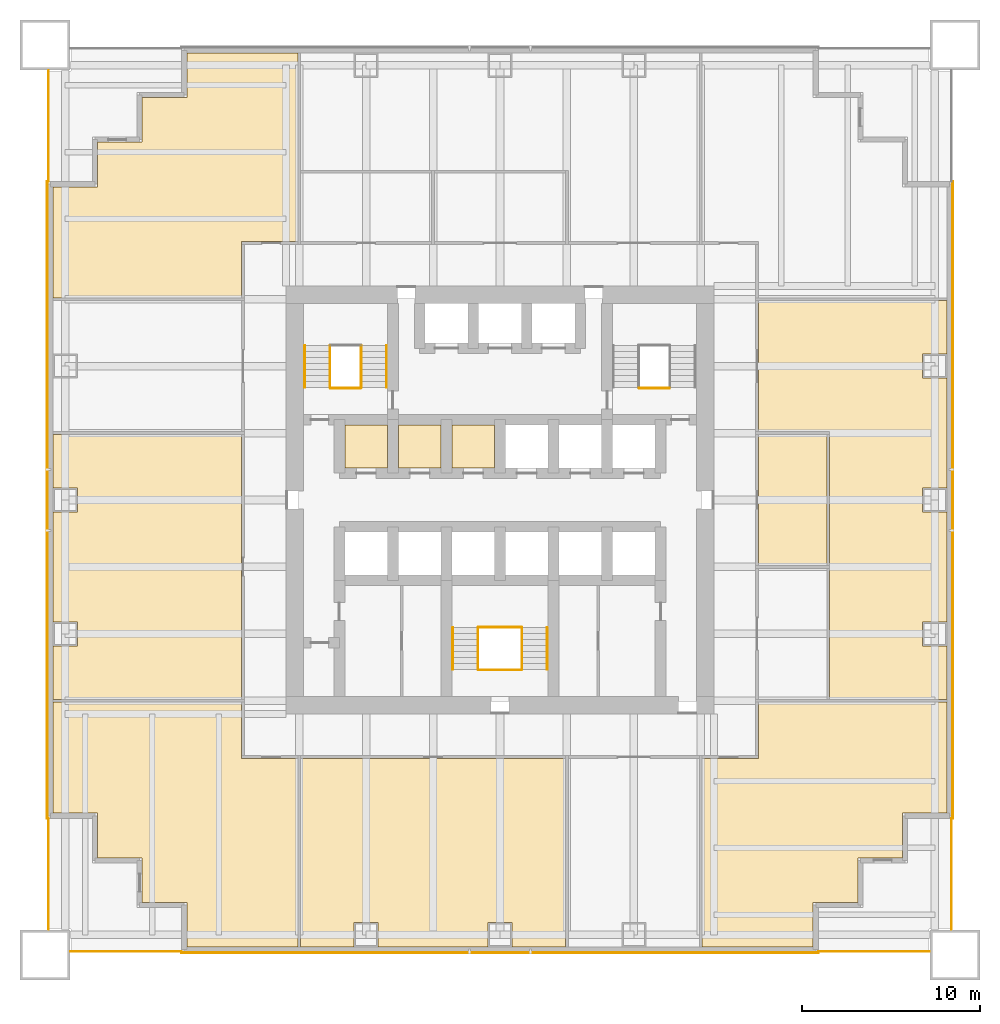
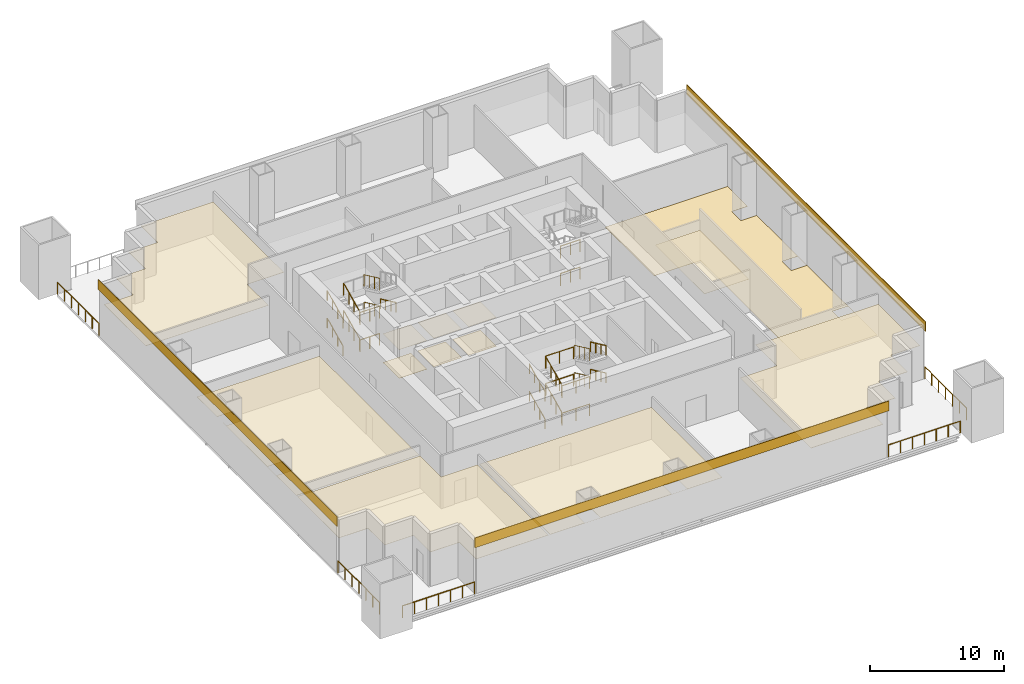
# One storey, part 6 of 7: 28 railings, 16 coverings.
"""IFC4 building model written with IfcOpenShell, lengths in metres."""

from ifc_helpers import new_model, si_unit, direction, frame, origin, origin_2d, place, context, subcontext, project, spatial, polyline, rectangle, circle, outline, extrude, material, layer, layer_set, type_object, element, save


model = new_model("IFC4")

# Units and contexts
model_context = context("Model", 3, precision=1e-05, world=origin(), true_north=direction((0.0, 1.0)))
body_context = subcontext(model_context, "Body", "Model", "MODEL_VIEW")
ifc_project = project(units=[si_unit("LENGTHUNIT", "METRE"), si_unit("AREAUNIT", "SQUARE_METRE"), si_unit("VOLUMEUNIT", "CUBIC_METRE"), si_unit("PLANEANGLEUNIT", "RADIAN"), si_unit("MASSUNIT", "GRAM", prefix="KILO")], contexts=[model_context])

# Site, building, storey
site_placement = place(None, origin())
site = spatial("IfcSite", under=ifc_project, at=site_placement, CompositionType="ELEMENT")
building_placement = place(site_placement, origin())
building = spatial("IfcBuilding", under=site, at=building_placement, Name="Tarangal Relay Tower", CompositionType="ELEMENT")
storey_placement = place(building_placement, frame((0.0, 0.0, 43.39990234375)))
storey = spatial("IfcBuildingStorey", under=building, at=storey_placement, Name="L08", CompositionType="ELEMENT", Elevation=43.39990234375)

# Coverings
ifc_material_1 = material(Name="Anti-static vinyl flooring", Category="plastic")
ifc_layer_1 = layer(ifc_material_1, 0.010009765625)
ifc_layer_set_1 = layer_set([ifc_layer_1], Name="Anti-static vinyl floor")
covering_type_1 = type_object("IfcCoveringType", Name="Anti-static vinyl floor", PredefinedType="FLOORING", material=ifc_layer_set_1)
covering_1_placement = place(storey_placement, origin())
element("IfcCovering", 1, at=covering_1_placement, inside=storey, type_object=covering_type_1, Name="Floor finish FL1 L08-D1", PredefinedType="FLOORING", context=body_context, shape_type="SweptSolid", body=[
    extrude(outline(polyline([(-8.699951171875, 1.800048828125), (-6.300048828125, 1.800048828125), (-6.300048828125, 4.199951171875), (-8.699951171875, 4.199951171875), (-8.699951171875, 1.800048828125)])), origin(), (0.0, 0.0, 1.0), 0.010009765625),
])
covering_2_placement = place(storey_placement, origin())
element("IfcCovering", 2, at=covering_2_placement, inside=storey, type_object=covering_type_1, Name="Floor finish FL1 L08-D2", PredefinedType="FLOORING", context=body_context, shape_type="SweptSolid", body=[
    extrude(outline(polyline([(-5.699951171875, 1.800048828125), (-3.300048828125, 1.800048828125), (-3.300048828125, 4.199951171875), (-5.699951171875, 4.199951171875), (-5.699951171875, 1.800048828125)])), origin(), (0.0, 0.0, 1.0), 0.010009765625),
])
covering_3_placement = place(storey_placement, origin())
element("IfcCovering", 3, at=covering_3_placement, inside=storey, type_object=covering_type_1, Name="Floor finish FL1 L08-D3", PredefinedType="FLOORING", context=body_context, shape_type="SweptSolid", body=[
    extrude(outline(polyline([(-2.699951171875, 1.800048828125), (-0.300048828125, 1.800048828125), (-0.300048828125, 4.199951171875), (-2.699951171875, 4.199951171875), (-2.699951171875, 1.800048828125)])), origin(), (0.0, 0.0, 1.0), 0.010009765625),
])
covering_4_placement = place(storey_placement, origin())
element("IfcCovering", 4, at=covering_4_placement, inside=storey, type_object=covering_type_1, Name="Floor finish FL1 L08-05", PredefinedType="FLOORING", context=body_context, shape_type="SweptSolid", body=[
    extrude(outline(polyline([(25.050048828125, -11.175048828125), (25.050048828125, 11.175048828125), (14.47509765625, 11.175048828125), (14.47509765625, 3.824951171875), (18.47509765625, 3.824951171875), (18.47509765625, -11.175048828125), (25.050048828125, -11.175048828125)]), holes=[polyline([(25.0400390625, -8.175048828125), (25.0400390625, -6.824951171875), (23.68994140625, -6.824951171875), (23.68994140625, -8.175048828125), (25.0400390625, -8.175048828125)]), polyline([(23.68994140625, -0.675048828125), (25.0400390625, -0.675048828125), (25.0400390625, 0.675048828125), (23.68994140625, 0.675048828125), (23.68994140625, -0.675048828125)]), polyline([(23.68994140625, 6.824951171875), (25.0400390625, 6.824951171875), (25.0400390625, 8.175048828125), (23.68994140625, 8.175048828125), (23.68994140625, 6.824951171875)])]), origin(), (0.0, 0.0, 1.0), 0.010009765625),
])
ifc_material_2 = material(Name="Black anodised aluminium cladding", Category="aluminium")
ifc_layer_2 = layer(ifc_material_2, 0.050048828125)
ifc_layer_set_2 = layer_set([ifc_layer_2], Name="Black metal spandrel band")
covering_type_2 = type_object("IfcCoveringType", Name="Black metal spandrel band", PredefinedType="CLADDING", material=ifc_layer_set_2)
for number, where, z_axis, x_axis, name in (
    (5, (25.375, 0.0, 4.250244140625), (0.0, 0.0, 1.0), (0.0, -1.0, 0.0), "Spandrel band SB1 E L08"),
    (6, (0.0, -25.375, 4.250244140625), (0.0, 0.0, 1.0), (-1.0, 0.0, 0.0), "Spandrel band SB1 S L08"),
    (7, (-25.375, 0.0, 4.250244140625), (0.0, 0.0, 1.0), (0.0, 1.0, 0.0), "Spandrel band SB1 W L08"),
):
    element("IfcCovering", number, at=place(storey_placement, frame(where, z_axis=z_axis, x_axis=x_axis)), inside=storey, type_object=covering_type_2, Name=name, PredefinedType="CLADDING", context=body_context, shape_type="SweptSolid", body=[
        extrude(rectangle(XDim=35.699951171875, YDim=0.050048828125, at=origin_2d()), origin(), (0.0, 0.0, 1.0), 0.89990234375),
    ])

# Railings
ifc_material_3 = material(Name="Steel guard, black finish", Category="steel")
railing_type_1 = type_object("IfcRailingType", Name="Stair guard 1100", PredefinedType="GUARDRAIL", material=ifc_material_3)
railing_1_placement = place(storey_placement, frame((-9.530029296875, 6.300048828125, 0.15625)))
element("IfcRailing", 8, at=railing_1_placement, inside=storey, type_object=railing_type_1, Name="Stair ST-A guard GR1 L08 flight 1", PredefinedType="GUARDRAIL", context=body_context, shape_type="SweptSolid", body=[
    extrude(circle(Radius=0.02392578125, at=origin_2d()), frame((0.0, 0.0, 1.076171875), z_axis=(0.0, 0.90626748934, 0.422704669676), x_axis=(-1.0, 0.0, 0.0)), (0.0, 0.0, 1.0), 2.58740234375),
    extrude(circle(Radius=0.02099609375, at=origin_2d()), origin(), (0.0, 0.0, 1.0), 1.052001953125),
    extrude(circle(Radius=0.02099609375, at=origin_2d()), frame((0.0, 0.78173828125, 0.364501953125)), (0.0, 0.0, 1.0), 1.052001953125),
    extrude(circle(Radius=0.02099609375, at=origin_2d()), frame((0.0, 1.563232421875, 0.729248046875)), (0.0, 0.0, 1.0), 1.052001953125),
    extrude(circle(Radius=0.02099609375, at=origin_2d()), frame((0.0, 2.344970703125, 1.09375)), (0.0, 0.0, 1.0), 1.052001953125),
])
railing_2_placement = place(storey_placement, frame((-7.77001953125, 8.64501953125, 1.40625)))
element("IfcRailing", 9, at=railing_2_placement, inside=storey, type_object=railing_type_1, Name="Stair ST-A guard GR1 L08 flight 2", PredefinedType="GUARDRAIL", context=body_context, shape_type="SweptSolid", body=[
    extrude(circle(Radius=0.02392578125, at=origin_2d()), frame((0.0, 0.0, 1.076171875), z_axis=(0.0, -0.90626748934, 0.422704669676), x_axis=(1.0, 0.0, 0.0)), (0.0, 0.0, 1.0), 2.58740234375),
    extrude(circle(Radius=0.02099609375, at=origin_2d()), origin(), (0.0, 0.0, 1.0), 1.052001953125),
    extrude(circle(Radius=0.02099609375, at=origin_2d()), frame((0.0, -0.78173828125, 0.364501953125)), (0.0, 0.0, 1.0), 1.052001953125),
    extrude(circle(Radius=0.02099609375, at=origin_2d()), frame((0.0, -1.563232421875, 0.729248046875)), (0.0, 0.0, 1.0), 1.052001953125),
    extrude(circle(Radius=0.02099609375, at=origin_2d()), frame((0.0, -2.344970703125, 1.09375)), (0.0, 0.0, 1.0), 1.052001953125),
])
railing_3_placement = place(storey_placement, frame((-9.530029296875, 6.300048828125, 2.65625)))
element("IfcRailing", 10, at=railing_3_placement, inside=storey, type_object=railing_type_1, Name="Stair ST-A guard GR1 L08 flight 3", PredefinedType="GUARDRAIL", context=body_context, shape_type="SweptSolid", body=[
    extrude(circle(Radius=0.02392578125, at=origin_2d()), frame((0.0, 0.0, 1.076171875), z_axis=(0.0, 0.90626748934, 0.422704669676), x_axis=(-1.0, 0.0, 0.0)), (0.0, 0.0, 1.0), 2.58740234375),
    extrude(circle(Radius=0.02099609375, at=origin_2d()), origin(), (0.0, 0.0, 1.0), 1.052001953125),
    extrude(circle(Radius=0.02099609375, at=origin_2d()), frame((0.0, 0.78173828125, 0.364501953125)), (0.0, 0.0, 1.0), 1.052001953125),
    extrude(circle(Radius=0.02099609375, at=origin_2d()), frame((0.0, 1.563232421875, 0.729248046875)), (0.0, 0.0, 1.0), 1.052001953125),
    extrude(circle(Radius=0.02099609375, at=origin_2d()), frame((0.0, 2.344970703125, 1.09375)), (0.0, 0.0, 1.0), 1.052001953125),
])
railing_4_placement = place(storey_placement, frame((-7.77001953125, 8.64501953125, 3.90625)))
element("IfcRailing", 11, at=railing_4_placement, inside=storey, type_object=railing_type_1, Name="Stair ST-A guard GR1 L08 flight 4", PredefinedType="GUARDRAIL", context=body_context, shape_type="SweptSolid", body=[
    extrude(circle(Radius=0.02392578125, at=origin_2d()), frame((0.0, 0.0, 1.076171875), z_axis=(0.0, -0.90626748934, 0.422704669676), x_axis=(1.0, 0.0, 0.0)), (0.0, 0.0, 1.0), 2.58740234375),
    extrude(circle(Radius=0.02099609375, at=origin_2d()), origin(), (0.0, 0.0, 1.0), 1.052001953125),
    extrude(circle(Radius=0.02099609375, at=origin_2d()), frame((0.0, -0.78173828125, 0.364501953125)), (0.0, 0.0, 1.0), 1.052001953125),
    extrude(circle(Radius=0.02099609375, at=origin_2d()), frame((0.0, -1.563232421875, 0.729248046875)), (0.0, 0.0, 1.0), 1.052001953125),
    extrude(circle(Radius=0.02099609375, at=origin_2d()), frame((0.0, -2.344970703125, 1.09375)), (0.0, 0.0, 1.0), 1.052001953125),
])
for number, where, name in (
    (12, (-9.5, 6.27001953125, 0.0), "Stair ST-A landing guard GR1 L08"),
    (13, (-9.5, 6.27001953125, 2.5), "Stair ST-A landing guard GR1 L08"),
    (14, (7.800048828125, 6.27001953125, 0.0), "Stair ST-B landing guard GR1 L08"),
    (15, (7.800048828125, 6.27001953125, 2.5), "Stair ST-B landing guard GR1 L08"),
):
    element("IfcRailing", number, at=place(storey_placement, frame(where)), inside=storey, type_object=railing_type_1, Name=name, PredefinedType="GUARDRAIL", context=body_context, shape_type="SweptSolid", body=[
        extrude(circle(Radius=0.02392578125, at=origin_2d()), frame((0.0, 0.0, 1.076171875), z_axis=(1.0, 0.0, 0.0), x_axis=(0.0, 1.0, 0.0)), (0.0, 0.0, 1.0), 1.699951171875),
        extrude(circle(Radius=0.02099609375, at=origin_2d()), origin(), (0.0, 0.0, 1.0), 1.052001953125),
        extrude(circle(Radius=0.02099609375, at=origin_2d()), frame((0.85009765625, 0.0, 0.0)), (0.0, 0.0, 1.0), 1.052001953125),
        extrude(circle(Radius=0.02099609375, at=origin_2d()), frame((1.699951171875, 0.0, 0.0)), (0.0, 0.0, 1.0), 1.052001953125),
    ])
railing_5_placement = place(storey_placement, frame((-1.22998046875, -9.5, 0.15625)))
element("IfcRailing", 16, at=railing_5_placement, inside=storey, type_object=railing_type_1, Name="Stair ST-C guard GR1 L08 flight 1", PredefinedType="GUARDRAIL", context=body_context, shape_type="SweptSolid", body=[
    extrude(circle(Radius=0.02392578125, at=origin_2d()), frame((0.0, 0.0, 1.076171875), z_axis=(0.0, 0.90626748934, 0.422704669676), x_axis=(-1.0, 0.0, 0.0)), (0.0, 0.0, 1.0), 2.58740234375),
    extrude(circle(Radius=0.02099609375, at=origin_2d()), origin(), (0.0, 0.0, 1.0), 1.052001953125),
    extrude(circle(Radius=0.02099609375, at=origin_2d()), frame((0.0, 0.78173828125, 0.364501953125)), (0.0, 0.0, 1.0), 1.052001953125),
    extrude(circle(Radius=0.02099609375, at=origin_2d()), frame((0.0, 1.563232421875, 0.729248046875)), (0.0, 0.0, 1.0), 1.052001953125),
    extrude(circle(Radius=0.02099609375, at=origin_2d()), frame((0.0, 2.344970703125, 1.09375)), (0.0, 0.0, 1.0), 1.052001953125),
])
railing_6_placement = place(storey_placement, frame((1.22998046875, -7.155029296875, 1.40625)))
element("IfcRailing", 17, at=railing_6_placement, inside=storey, type_object=railing_type_1, Name="Stair ST-C guard GR1 L08 flight 2", PredefinedType="GUARDRAIL", context=body_context, shape_type="SweptSolid", body=[
    extrude(circle(Radius=0.02392578125, at=origin_2d()), frame((0.0, 0.0, 1.076171875), z_axis=(0.0, -0.90626748934, 0.422704669676), x_axis=(1.0, 0.0, 0.0)), (0.0, 0.0, 1.0), 2.58740234375),
    extrude(circle(Radius=0.02099609375, at=origin_2d()), origin(), (0.0, 0.0, 1.0), 1.052001953125),
    extrude(circle(Radius=0.02099609375, at=origin_2d()), frame((0.0, -0.78173828125, 0.364501953125)), (0.0, 0.0, 1.0), 1.052001953125),
    extrude(circle(Radius=0.02099609375, at=origin_2d()), frame((0.0, -1.563232421875, 0.729248046875)), (0.0, 0.0, 1.0), 1.052001953125),
    extrude(circle(Radius=0.02099609375, at=origin_2d()), frame((0.0, -2.344970703125, 1.09375)), (0.0, 0.0, 1.0), 1.052001953125),
])
railing_7_placement = place(storey_placement, frame((-1.22998046875, -9.5, 2.65625)))
element("IfcRailing", 18, at=railing_7_placement, inside=storey, type_object=railing_type_1, Name="Stair ST-C guard GR1 L08 flight 3", PredefinedType="GUARDRAIL", context=body_context, shape_type="SweptSolid", body=[
    extrude(circle(Radius=0.02392578125, at=origin_2d()), frame((0.0, 0.0, 1.076171875), z_axis=(0.0, 0.90626748934, 0.422704669676), x_axis=(-1.0, 0.0, 0.0)), (0.0, 0.0, 1.0), 2.58740234375),
    extrude(circle(Radius=0.02099609375, at=origin_2d()), origin(), (0.0, 0.0, 1.0), 1.052001953125),
    extrude(circle(Radius=0.02099609375, at=origin_2d()), frame((0.0, 0.78173828125, 0.364501953125)), (0.0, 0.0, 1.0), 1.052001953125),
    extrude(circle(Radius=0.02099609375, at=origin_2d()), frame((0.0, 1.563232421875, 0.729248046875)), (0.0, 0.0, 1.0), 1.052001953125),
    extrude(circle(Radius=0.02099609375, at=origin_2d()), frame((0.0, 2.344970703125, 1.09375)), (0.0, 0.0, 1.0), 1.052001953125),
])
railing_8_placement = place(storey_placement, frame((1.22998046875, -7.155029296875, 3.90625)))
element("IfcRailing", 19, at=railing_8_placement, inside=storey, type_object=railing_type_1, Name="Stair ST-C guard GR1 L08 flight 4", PredefinedType="GUARDRAIL", context=body_context, shape_type="SweptSolid", body=[
    extrude(circle(Radius=0.02392578125, at=origin_2d()), frame((0.0, 0.0, 1.076171875), z_axis=(0.0, -0.90626748934, 0.422704669676), x_axis=(1.0, 0.0, 0.0)), (0.0, 0.0, 1.0), 2.58740234375),
    extrude(circle(Radius=0.02099609375, at=origin_2d()), origin(), (0.0, 0.0, 1.0), 1.052001953125),
    extrude(circle(Radius=0.02099609375, at=origin_2d()), frame((0.0, -0.78173828125, 0.364501953125)), (0.0, 0.0, 1.0), 1.052001953125),
    extrude(circle(Radius=0.02099609375, at=origin_2d()), frame((0.0, -1.563232421875, 0.729248046875)), (0.0, 0.0, 1.0), 1.052001953125),
    extrude(circle(Radius=0.02099609375, at=origin_2d()), frame((0.0, -2.344970703125, 1.09375)), (0.0, 0.0, 1.0), 1.052001953125),
])
for number, where, name in (
    (20, (-1.199951171875, -9.530029296875, 0.0), "Stair ST-C landing guard GR1 L08"),
    (21, (-1.199951171875, -7.125, 1.25), "Stair ST-C landing guard GR1 L08"),
    (22, (-1.199951171875, -9.530029296875, 2.5), "Stair ST-C landing guard GR1 L08"),
    (23, (-1.199951171875, -7.125, 3.75), "Stair ST-C landing guard GR1 L08"),
):
    element("IfcRailing", number, at=place(storey_placement, frame(where)), inside=storey, type_object=railing_type_1, Name=name, PredefinedType="GUARDRAIL", context=body_context, shape_type="SweptSolid", body=[
        extrude(circle(Radius=0.02392578125, at=origin_2d()), frame((0.0, 0.0, 1.076171875), z_axis=(1.0, 0.0, 0.0), x_axis=(0.0, 1.0, 0.0)), (0.0, 0.0, 1.0), 2.39990234375),
        extrude(circle(Radius=0.02099609375, at=origin_2d()), origin(), (0.0, 0.0, 1.0), 1.052001953125),
        extrude(circle(Radius=0.02099609375, at=origin_2d()), frame((1.199951171875, 0.0, 0.0)), (0.0, 0.0, 1.0), 1.052001953125),
        extrude(circle(Radius=0.02099609375, at=origin_2d()), frame((2.39990234375, 0.0, 0.0)), (0.0, 0.0, 1.0), 1.052001953125),
    ])
ifc_material_4 = material(Name="Steel handrail, black finish", Category="steel")
railing_type_2 = type_object("IfcRailingType", Name="Stair handrail 900", PredefinedType="HANDRAIL", material=ifc_material_4)
railing_9_placement = place(storey_placement, frame((-10.93994140625, 6.300048828125, 0.15625)))
element("IfcRailing", 24, at=railing_9_placement, inside=storey, type_object=railing_type_2, Name="Stair ST-A handrail HR1 L08 flight 1", PredefinedType="HANDRAIL", context=body_context, shape_type="SweptSolid", body=[
    extrude(circle(Radius=0.02392578125, at=origin_2d()), frame((0.0, 0.0, 0.8759765625), z_axis=(0.0, 0.90626748934, 0.422704669676), x_axis=(-1.0, 0.0, 0.0)), (0.0, 0.0, 1.0), 2.58740234375),
    extrude(circle(Radius=0.02099609375, at=origin_2d()), origin(), (0.0, 0.0, 1.0), 0.851806640625),
    extrude(circle(Radius=0.02099609375, at=origin_2d()), frame((0.0, 0.78173828125, 0.364501953125)), (0.0, 0.0, 1.0), 0.851806640625),
    extrude(circle(Radius=0.02099609375, at=origin_2d()), frame((0.0, 1.563232421875, 0.729248046875)), (0.0, 0.0, 1.0), 0.851806640625),
    extrude(circle(Radius=0.02099609375, at=origin_2d()), frame((0.0, 2.344970703125, 1.09375)), (0.0, 0.0, 1.0), 0.851806640625),
])
railing_10_placement = place(storey_placement, frame((-6.360107421875, 8.64501953125, 1.40625)))
element("IfcRailing", 25, at=railing_10_placement, inside=storey, type_object=railing_type_2, Name="Stair ST-A handrail HR1 L08 flight 2", PredefinedType="HANDRAIL", context=body_context, shape_type="SweptSolid", body=[
    extrude(circle(Radius=0.02392578125, at=origin_2d()), frame((0.0, 0.0, 0.8759765625), z_axis=(0.0, -0.90626748934, 0.422704669676), x_axis=(1.0, 0.0, 0.0)), (0.0, 0.0, 1.0), 2.58740234375),
    extrude(circle(Radius=0.02099609375, at=origin_2d()), origin(), (0.0, 0.0, 1.0), 0.851806640625),
    extrude(circle(Radius=0.02099609375, at=origin_2d()), frame((0.0, -0.78173828125, 0.364501953125)), (0.0, 0.0, 1.0), 0.851806640625),
    extrude(circle(Radius=0.02099609375, at=origin_2d()), frame((0.0, -1.563232421875, 0.729248046875)), (0.0, 0.0, 1.0), 0.851806640625),
    extrude(circle(Radius=0.02099609375, at=origin_2d()), frame((0.0, -2.344970703125, 1.09375)), (0.0, 0.0, 1.0), 0.851806640625),
])
for number, where, name in (
    (26, (-10.93994140625, 6.300048828125, 2.65625), "Stair ST-A handrail HR1 L08 flight 3"),
    (27, (-2.639892578125, -9.5, 0.15625), "Stair ST-C handrail HR1 L08 flight 1"),
):
    element("IfcRailing", number, at=place(storey_placement, frame(where)), inside=storey, type_object=railing_type_2, Name=name, PredefinedType="HANDRAIL", context=body_context, shape_type="SweptSolid", body=[
        extrude(circle(Radius=0.02392578125, at=origin_2d()), frame((0.0, 0.0, 0.8759765625), z_axis=(0.0, 0.90626748934, 0.422704669676), x_axis=(-1.0, 0.0, 0.0)), (0.0, 0.0, 1.0), 2.58740234375),
        extrude(circle(Radius=0.02099609375, at=origin_2d()), origin(), (0.0, 0.0, 1.0), 0.851806640625),
        extrude(circle(Radius=0.02099609375, at=origin_2d()), frame((0.0, 0.78173828125, 0.364501953125)), (0.0, 0.0, 1.0), 0.851806640625),
        extrude(circle(Radius=0.02099609375, at=origin_2d()), frame((0.0, 1.563232421875, 0.729248046875)), (0.0, 0.0, 1.0), 0.851806640625),
        extrude(circle(Radius=0.02099609375, at=origin_2d()), frame((0.0, 2.344970703125, 1.09375)), (0.0, 0.0, 1.0), 0.851806640625),
    ])
railing_11_placement = place(storey_placement, frame((2.639892578125, -7.155029296875, 1.40625)))
element("IfcRailing", 28, at=railing_11_placement, inside=storey, type_object=railing_type_2, Name="Stair ST-C handrail HR1 L08 flight 2", PredefinedType="HANDRAIL", context=body_context, shape_type="SweptSolid", body=[
    extrude(circle(Radius=0.02392578125, at=origin_2d()), frame((0.0, 0.0, 0.8759765625), z_axis=(0.0, -0.90626748934, 0.422704669676), x_axis=(1.0, 0.0, 0.0)), (0.0, 0.0, 1.0), 2.58740234375),
    extrude(circle(Radius=0.02099609375, at=origin_2d()), origin(), (0.0, 0.0, 1.0), 0.851806640625),
    extrude(circle(Radius=0.02099609375, at=origin_2d()), frame((0.0, -0.78173828125, 0.364501953125)), (0.0, 0.0, 1.0), 0.851806640625),
    extrude(circle(Radius=0.02099609375, at=origin_2d()), frame((0.0, -1.563232421875, 0.729248046875)), (0.0, 0.0, 1.0), 0.851806640625),
    extrude(circle(Radius=0.02099609375, at=origin_2d()), frame((0.0, -2.344970703125, 1.09375)), (0.0, 0.0, 1.0), 0.851806640625),
])
railing_12_placement = place(storey_placement, frame((-2.639892578125, -9.5, 2.65625)))
element("IfcRailing", 29, at=railing_12_placement, inside=storey, type_object=railing_type_2, Name="Stair ST-C handrail HR1 L08 flight 3", PredefinedType="HANDRAIL", context=body_context, shape_type="SweptSolid", body=[
    extrude(circle(Radius=0.02392578125, at=origin_2d()), frame((0.0, 0.0, 0.8759765625), z_axis=(0.0, 0.90626748934, 0.422704669676), x_axis=(-1.0, 0.0, 0.0)), (0.0, 0.0, 1.0), 2.58740234375),
    extrude(circle(Radius=0.02099609375, at=origin_2d()), origin(), (0.0, 0.0, 1.0), 0.851806640625),
    extrude(circle(Radius=0.02099609375, at=origin_2d()), frame((0.0, 0.78173828125, 0.364501953125)), (0.0, 0.0, 1.0), 0.851806640625),
    extrude(circle(Radius=0.02099609375, at=origin_2d()), frame((0.0, 1.563232421875, 0.729248046875)), (0.0, 0.0, 1.0), 0.851806640625),
    extrude(circle(Radius=0.02099609375, at=origin_2d()), frame((0.0, 2.344970703125, 1.09375)), (0.0, 0.0, 1.0), 0.851806640625),
])
railing_13_placement = place(storey_placement, frame((2.639892578125, -7.155029296875, 3.90625)))
element("IfcRailing", 30, at=railing_13_placement, inside=storey, type_object=railing_type_2, Name="Stair ST-C handrail HR1 L08 flight 4", PredefinedType="HANDRAIL", context=body_context, shape_type="SweptSolid", body=[
    extrude(circle(Radius=0.02392578125, at=origin_2d()), frame((0.0, 0.0, 0.8759765625), z_axis=(0.0, -0.90626748934, 0.422704669676), x_axis=(1.0, 0.0, 0.0)), (0.0, 0.0, 1.0), 2.58740234375),
    extrude(circle(Radius=0.02099609375, at=origin_2d()), origin(), (0.0, 0.0, 1.0), 0.851806640625),
    extrude(circle(Radius=0.02099609375, at=origin_2d()), frame((0.0, -0.78173828125, 0.364501953125)), (0.0, 0.0, 1.0), 0.851806640625),
    extrude(circle(Radius=0.02099609375, at=origin_2d()), frame((0.0, -1.563232421875, 0.729248046875)), (0.0, 0.0, 1.0), 0.851806640625),
    extrude(circle(Radius=0.02099609375, at=origin_2d()), frame((0.0, -2.344970703125, 1.09375)), (0.0, 0.0, 1.0), 0.851806640625),
])

# Coverings
ifc_material_5 = material(Name="Mineral fibre ceiling tiles", Category="gypsum")
ifc_layer_3 = layer(ifc_material_5, 0.02001953125)
ifc_layer_set_3 = layer_set([ifc_layer_3], Name="Suspended ceiling")
covering_type_3 = type_object("IfcCoveringType", Name="Suspended ceiling", PredefinedType="CEILING", material=ifc_layer_set_3)
covering_5_placement = place(storey_placement, frame((0.0, 0.0, 2.60009765625)))
element("IfcCovering", 31, at=covering_5_placement, inside=storey, type_object=covering_type_3, Name="Suspended ceiling CL1 L08-D1", PredefinedType="CEILING", context=body_context, shape_type="SweptSolid", body=[
    extrude(outline(polyline([(-8.699951171875, 1.800048828125), (-6.300048828125, 1.800048828125), (-6.300048828125, 4.199951171875), (-8.699951171875, 4.199951171875), (-8.699951171875, 1.800048828125)])), origin(), (0.0, 0.0, 1.0), 0.02001953125),
])
covering_6_placement = place(storey_placement, frame((0.0, 0.0, 2.60009765625)))
element("IfcCovering", 32, at=covering_6_placement, inside=storey, type_object=covering_type_3, Name="Suspended ceiling CL1 L08-D2", PredefinedType="CEILING", context=body_context, shape_type="SweptSolid", body=[
    extrude(outline(polyline([(-5.699951171875, 1.800048828125), (-3.300048828125, 1.800048828125), (-3.300048828125, 4.199951171875), (-5.699951171875, 4.199951171875), (-5.699951171875, 1.800048828125)])), origin(), (0.0, 0.0, 1.0), 0.02001953125),
])
covering_7_placement = place(storey_placement, frame((0.0, 0.0, 2.60009765625)))
element("IfcCovering", 33, at=covering_7_placement, inside=storey, type_object=covering_type_3, Name="Suspended ceiling CL1 L08-D3", PredefinedType="CEILING", context=body_context, shape_type="SweptSolid", body=[
    extrude(outline(polyline([(-2.699951171875, 1.800048828125), (-0.300048828125, 1.800048828125), (-0.300048828125, 4.199951171875), (-2.699951171875, 4.199951171875), (-2.699951171875, 1.800048828125)])), origin(), (0.0, 0.0, 1.0), 0.02001953125),
])
covering_8_placement = place(storey_placement, frame((0.0, 0.0, 2.900146484375)))
element("IfcCovering", 34, at=covering_8_placement, inside=storey, type_object=covering_type_3, Name="Suspended ceiling CL1 L08-06", PredefinedType="CEILING", context=body_context, shape_type="SweptSolid", body=[
    extrude(outline(polyline([(18.324951171875, 3.675048828125), (14.47509765625, 3.675048828125), (14.47509765625, -3.675048828125), (18.324951171875, -3.675048828125), (18.324951171875, 3.675048828125)])), origin(), (0.0, 0.0, 1.0), 0.02001953125),
])
covering_9_placement = place(storey_placement, frame((0.0, 0.0, 2.900146484375)))
element("IfcCovering", 35, at=covering_9_placement, inside=storey, type_object=covering_type_3, Name="Suspended ceiling CL1 L08-09", PredefinedType="CEILING", context=body_context, shape_type="SweptSolid", body=[
    extrude(outline(polyline([(-11.175048828125, -25.050048828125), (3.675048828125, -25.050048828125), (3.675048828125, -14.47509765625), (-11.175048828125, -14.47509765625), (-11.175048828125, -25.050048828125)]), holes=[polyline([(-6.824951171875, -25.0400390625), (-6.824951171875, -23.68994140625), (-8.175048828125, -23.68994140625), (-8.175048828125, -25.0400390625), (-6.824951171875, -25.0400390625)]), polyline([(0.675048828125, -25.0400390625), (0.675048828125, -23.68994140625), (-0.675048828125, -23.68994140625), (-0.675048828125, -25.0400390625), (0.675048828125, -25.0400390625)])]), origin(), (0.0, 0.0, 1.0), 0.02001953125),
])
covering_10_placement = place(storey_placement, frame((0.0, 0.0, 2.900146484375)))
element("IfcCovering", 36, at=covering_10_placement, inside=storey, type_object=covering_type_3, Name="Suspended ceiling CL1 L08-10", PredefinedType="CEILING", context=body_context, shape_type="SweptSolid", body=[
    extrude(outline(polyline([(-25.050048828125, 3.675048828125), (-25.050048828125, -11.175048828125), (-14.47509765625, -11.175048828125), (-14.47509765625, 3.675048828125), (-25.050048828125, 3.675048828125)]), holes=[polyline([(-23.68994140625, -8.175048828125), (-23.68994140625, -6.824951171875), (-25.0400390625, -6.824951171875), (-25.0400390625, -8.175048828125), (-23.68994140625, -8.175048828125)]), polyline([(-23.68994140625, -0.675048828125), (-23.68994140625, 0.675048828125), (-25.0400390625, 0.675048828125), (-25.0400390625, -0.675048828125), (-23.68994140625, -0.675048828125)])]), origin(), (0.0, 0.0, 1.0), 0.02001953125),
])
covering_11_placement = place(storey_placement, frame((0.0, 0.0, 2.900146484375)))
element("IfcCovering", 37, at=covering_11_placement, inside=storey, type_object=covering_type_3, Name="Suspended ceiling CL1 L08-13", PredefinedType="CEILING", context=body_context, shape_type="SweptSolid", body=[
    extrude(outline(polyline([(25.050048828125, -11.324951171875), (14.47509765625, -11.324951171875), (14.47509765625, -14.47509765625), (11.324951171875, -14.47509765625), (11.324951171875, -25.050048828125), (17.550048828125, -25.050048828125), (17.550048828125, -22.550048828125), (20.050048828125, -22.550048828125), (20.050048828125, -20.050048828125), (22.550048828125, -20.050048828125), (22.550048828125, -17.550048828125), (25.050048828125, -17.550048828125), (25.050048828125, -11.324951171875)])), origin(), (0.0, 0.0, 1.0), 0.02001953125),
])
covering_12_placement = place(storey_placement, frame((0.0, 0.0, 2.900146484375)))
element("IfcCovering", 38, at=covering_12_placement, inside=storey, type_object=covering_type_3, Name="Suspended ceiling CL1 L08-14", PredefinedType="CEILING", context=body_context, shape_type="SweptSolid", body=[
    extrude(outline(polyline([(-17.550048828125, -22.550048828125), (-17.550048828125, -25.050048828125), (-11.324951171875, -25.050048828125), (-11.324951171875, -14.47509765625), (-14.47509765625, -14.47509765625), (-14.47509765625, -11.324951171875), (-25.050048828125, -11.324951171875), (-25.050048828125, -17.550048828125), (-22.550048828125, -17.550048828125), (-22.550048828125, -20.050048828125), (-20.050048828125, -20.050048828125), (-20.050048828125, -22.550048828125), (-17.550048828125, -22.550048828125)])), origin(), (0.0, 0.0, 1.0), 0.02001953125),
])
covering_13_placement = place(storey_placement, frame((0.0, 0.0, 2.900146484375)))
element("IfcCovering", 39, at=covering_13_placement, inside=storey, type_object=covering_type_3, Name="Suspended ceiling CL1 L08-15", PredefinedType="CEILING", context=body_context, shape_type="SweptSolid", body=[
    extrude(outline(polyline([(-22.550048828125, 17.550048828125), (-25.050048828125, 17.550048828125), (-25.050048828125, 11.324951171875), (-14.47509765625, 11.324951171875), (-14.47509765625, 14.47509765625), (-11.324951171875, 14.47509765625), (-11.324951171875, 25.050048828125), (-17.550048828125, 25.050048828125), (-17.550048828125, 22.550048828125), (-20.050048828125, 22.550048828125), (-20.050048828125, 20.050048828125), (-22.550048828125, 20.050048828125), (-22.550048828125, 17.550048828125)])), origin(), (0.0, 0.0, 1.0), 0.02001953125),
])

# Railings
ifc_material_6 = material(Name="Black steel guard with glass infill", Category="steel")
railing_type_3 = type_object("IfcRailingType", Name="Terrace guard 1100", PredefinedType="GUARDRAIL", material=ifc_material_6)
railing_14_placement = place(storey_placement, frame((25.300048828125, -17.85009765625, 0.0)))
element("IfcRailing", 40, at=railing_14_placement, inside=storey, type_object=railing_type_3, Name="Terrace guard GR2 SE L08", PredefinedType="GUARDRAIL", context=body_context, shape_type="SweptSolid", body=[
    extrude(circle(Radius=0.02392578125, at=origin_2d()), frame((0.0, 0.0, 1.076171875), z_axis=(0.0, -1.0, 0.0), x_axis=(1.0, 0.0, 0.0)), (0.0, 0.0, 1.0), 6.199951171875),
    extrude(circle(Radius=0.02099609375, at=origin_2d()), origin(), (0.0, 0.0, 1.0), 1.052001953125),
    extrude(circle(Radius=0.02099609375, at=origin_2d()), frame((0.0, -1.033203125, 0.0)), (0.0, 0.0, 1.0), 1.052001953125),
    extrude(circle(Radius=0.02099609375, at=origin_2d()), frame((0.0, -2.066650390625, 0.0)), (0.0, 0.0, 1.0), 1.052001953125),
    extrude(circle(Radius=0.02099609375, at=origin_2d()), frame((0.0, -3.10009765625, 0.0)), (0.0, 0.0, 1.0), 1.052001953125),
    extrude(circle(Radius=0.02099609375, at=origin_2d()), frame((0.0, -4.13330078125, 0.0)), (0.0, 0.0, 1.0), 1.052001953125),
    extrude(circle(Radius=0.02099609375, at=origin_2d()), frame((0.0, -5.16650390625, 0.0)), (0.0, 0.0, 1.0), 1.052001953125),
    extrude(circle(Radius=0.02099609375, at=origin_2d()), frame((0.0, -6.199951171875, 0.0)), (0.0, 0.0, 1.0), 1.052001953125),
])
for number, where, name in (
    (41, (24.050048828125, -25.300048828125, 0.0), "Terrace guard GR2 SE L08"),
    (42, (-17.85009765625, -25.300048828125, 0.0), "Terrace guard GR2 SW L08"),
):
    element("IfcRailing", number, at=place(storey_placement, frame(where)), inside=storey, type_object=railing_type_3, Name=name, PredefinedType="GUARDRAIL", context=body_context, shape_type="SweptSolid", body=[
        extrude(circle(Radius=0.02392578125, at=origin_2d()), frame((0.0, 0.0, 1.076171875), z_axis=(-1.0, 0.0, 0.0), x_axis=(0.0, -1.0, 0.0)), (0.0, 0.0, 1.0), 6.199951171875),
        extrude(circle(Radius=0.02099609375, at=origin_2d()), origin(), (0.0, 0.0, 1.0), 1.052001953125),
        extrude(circle(Radius=0.02099609375, at=origin_2d()), frame((-1.033203125, 0.0, 0.0)), (0.0, 0.0, 1.0), 1.052001953125),
        extrude(circle(Radius=0.02099609375, at=origin_2d()), frame((-2.066650390625, 0.0, 0.0)), (0.0, 0.0, 1.0), 1.052001953125),
        extrude(circle(Radius=0.02099609375, at=origin_2d()), frame((-3.10009765625, 0.0, 0.0)), (0.0, 0.0, 1.0), 1.052001953125),
        extrude(circle(Radius=0.02099609375, at=origin_2d()), frame((-4.13330078125, 0.0, 0.0)), (0.0, 0.0, 1.0), 1.052001953125),
        extrude(circle(Radius=0.02099609375, at=origin_2d()), frame((-5.16650390625, 0.0, 0.0)), (0.0, 0.0, 1.0), 1.052001953125),
        extrude(circle(Radius=0.02099609375, at=origin_2d()), frame((-6.199951171875, 0.0, 0.0)), (0.0, 0.0, 1.0), 1.052001953125),
    ])
for number, where, name in (
    (43, (-25.300048828125, -24.050048828125, 0.0), "Terrace guard GR2 SW L08"),
    (44, (-25.300048828125, 17.85009765625, 0.0), "Terrace guard GR2 NW L08"),
):
    element("IfcRailing", number, at=place(storey_placement, frame(where)), inside=storey, type_object=railing_type_3, Name=name, PredefinedType="GUARDRAIL", context=body_context, shape_type="SweptSolid", body=[
        extrude(circle(Radius=0.02392578125, at=origin_2d()), frame((0.0, 0.0, 1.076171875), z_axis=(0.0, 1.0, 0.0), x_axis=(-1.0, 0.0, 0.0)), (0.0, 0.0, 1.0), 6.199951171875),
        extrude(circle(Radius=0.02099609375, at=origin_2d()), origin(), (0.0, 0.0, 1.0), 1.052001953125),
        extrude(circle(Radius=0.02099609375, at=origin_2d()), frame((0.0, 1.033203125, 0.0)), (0.0, 0.0, 1.0), 1.052001953125),
        extrude(circle(Radius=0.02099609375, at=origin_2d()), frame((0.0, 2.066650390625, 0.0)), (0.0, 0.0, 1.0), 1.052001953125),
        extrude(circle(Radius=0.02099609375, at=origin_2d()), frame((0.0, 3.10009765625, 0.0)), (0.0, 0.0, 1.0), 1.052001953125),
        extrude(circle(Radius=0.02099609375, at=origin_2d()), frame((0.0, 4.13330078125, 0.0)), (0.0, 0.0, 1.0), 1.052001953125),
        extrude(circle(Radius=0.02099609375, at=origin_2d()), frame((0.0, 5.16650390625, 0.0)), (0.0, 0.0, 1.0), 1.052001953125),
        extrude(circle(Radius=0.02099609375, at=origin_2d()), frame((0.0, 6.199951171875, 0.0)), (0.0, 0.0, 1.0), 1.052001953125),
    ])

save(model, "model.ifc")
